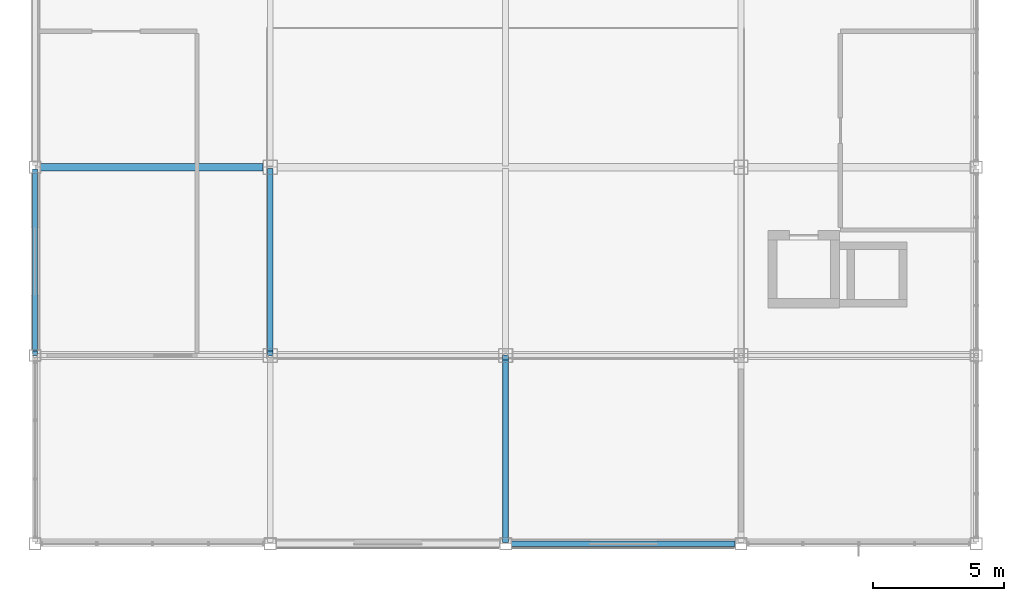
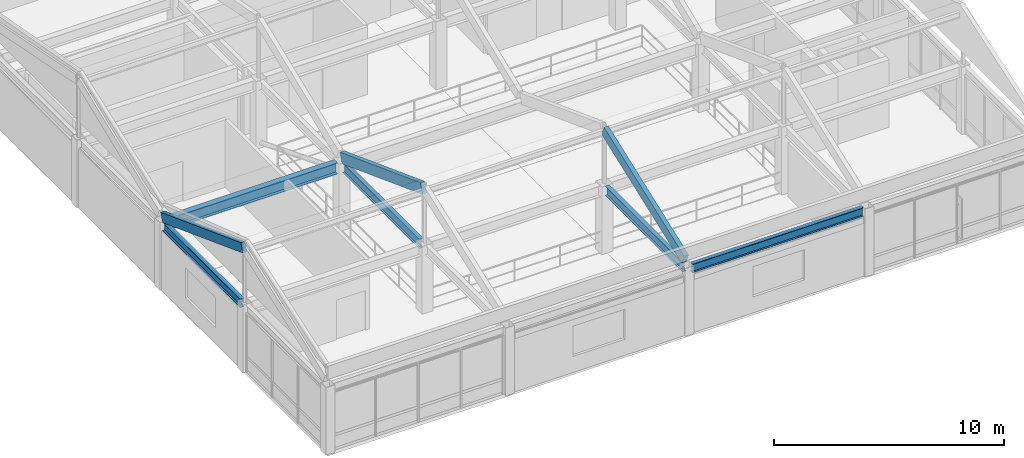
# One storey, part 13 of 113: 5 beams, 3 members.
"""IFC4 building model written with IfcOpenShell, lengths in metres."""

from ifc_helpers import new_model, si_unit, direction, frame, origin, origin_2d, place, context, subcontext, project, spatial, rectangle, i_section, extrude, material, material_profile, profile_set, type_object, element, save


model = new_model("IFC4")

# Units and contexts
model_context = context("Model", 3, precision=1e-05, world=origin(), true_north=direction((0.0, 1.0)))
body_context = subcontext(model_context, "Body", "Model", "MODEL_VIEW")
ifc_project = project(units=[si_unit("LENGTHUNIT", "METRE"), si_unit("AREAUNIT", "SQUARE_METRE"), si_unit("VOLUMEUNIT", "CUBIC_METRE"), si_unit("PLANEANGLEUNIT", "RADIAN"), si_unit("MASSUNIT", "GRAM", prefix="KILO")], contexts=[model_context])

# Site, building, storey
site_placement = place(None, origin())
site = spatial("IfcSite", under=ifc_project, at=site_placement, CompositionType="ELEMENT")
building_placement = place(site_placement, origin())
building = spatial("IfcBuilding", under=site, at=building_placement, Name="Kazanami Central Library", CompositionType="ELEMENT")
storey_placement = place(building_placement, frame((0.0, 0.0, 8.800048828125)))
storey = spatial("IfcBuildingStorey", under=building, at=storey_placement, Name="L03", CompositionType="ELEMENT", Elevation=8.800048828125)

# Beams
ifc_material_1 = material(Name="Steel SN490B (325 MPa)", Category="steel")
ifc_material_profile_1 = material_profile(ifc_material_1, i_section(OverallWidth=0.300048828125, OverallDepth=0.587890625, WebThickness=0.011962890625, FlangeThickness=0.02001953125, at=origin_2d()), Name="H-588x300x12x20")
ifc_profile_set_1 = profile_set([ifc_material_profile_1], Name="Steel SN490B (325 MPa)")
beam_type_1 = type_object("IfcBeamType", Name="BM-G-X2", PredefinedType="BEAM", material=ifc_profile_set_1)
beam_1_placement = place(storey_placement, frame((0.222900390625, 14.39990234375, 3.285888671875), z_axis=(1.0, 0.0, 0.0), x_axis=(0.0, 1.0, 0.0)))
element("IfcBeam", 1, at=beam_1_placement, inside=storey, type_object=beam_type_1, Name="Girder G-X2 L03 C/1-2", PredefinedType="BEAM", context=body_context, shape_type="SweptSolid", body=[
    extrude(i_section(OverallWidth=0.300048828125, OverallDepth=0.587890625, WebThickness=0.011962890625, FlangeThickness=0.02001953125, at=origin_2d()), origin(), (0.0, 0.0, 1.0), 8.504150390625),
])
ifc_material_profile_2 = material_profile(ifc_material_1, i_section(OverallWidth=0.199951171875, OverallDepth=0.5, WebThickness=0.010009765625, FlangeThickness=0.01611328125, at=origin_2d()), Name="H-500x200x10x16")
ifc_profile_set_2 = profile_set([ifc_material_profile_2], Name="Steel SN490B (325 MPa)")
beam_type_2 = type_object("IfcBeamType", Name="BM-G-Y2", PredefinedType="BEAM", material=ifc_profile_set_2)
beam_2_placement = place(storey_placement, frame((9.0, 7.472900390625, 3.329833984375), z_axis=(0.0, 1.0, 0.0), x_axis=(-1.0, 0.0, 0.0)))
element("IfcBeam", 2, at=beam_2_placement, inside=storey, type_object=beam_type_2, Name="Girder G-Y2 L03 2/B-C", PredefinedType="BEAM", context=body_context, shape_type="SweptSolid", body=[
    extrude(i_section(OverallWidth=0.199951171875, OverallDepth=0.5, WebThickness=0.010009765625, FlangeThickness=0.01611328125, at=origin_2d()), origin(), (0.0, 0.0, 1.0), 6.654052734375),
])
beam_3_placement = place(storey_placement, frame((18.0, 0.222900390625, 3.329833984375), z_axis=(0.0, 1.0, 0.0), x_axis=(-1.0, 0.0, 0.0)))
element("IfcBeam", 3, at=beam_3_placement, inside=storey, type_object=beam_type_2, Name="Girder G-Y2 L03 3/A-B", PredefinedType="BEAM", context=body_context, shape_type="SweptSolid", body=[
    extrude(i_section(OverallWidth=0.199951171875, OverallDepth=0.5, WebThickness=0.010009765625, FlangeThickness=0.01611328125, at=origin_2d()), origin(), (0.0, 0.0, 1.0), 6.7041015625),
])
ifc_material_profile_3 = material_profile(ifc_material_1, i_section(OverallWidth=0.199951171875, OverallDepth=0.449951171875, WebThickness=0.009033203125, FlangeThickness=0.013916015625, at=origin_2d()), Name="H-450x200x9x14")
ifc_profile_set_3 = profile_set([ifc_material_profile_3], Name="Steel SN490B (325 MPa)")
beam_type_3 = type_object("IfcBeamType", Name="BM-SP-2", PredefinedType="SPANDREL", material=ifc_profile_set_3)
beam_4_placement = place(storey_placement, frame((18.222900390625, 0.0, 3.35498046875), z_axis=(1.0, 0.0, 0.0), x_axis=(0.0, 1.0, 0.0)))
element("IfcBeam", 4, at=beam_4_placement, inside=storey, type_object=beam_type_3, Name="Girder SP-2 L03 A/3-4", PredefinedType="SPANDREL", context=body_context, shape_type="SweptSolid", body=[
    extrude(i_section(OverallWidth=0.199951171875, OverallDepth=0.449951171875, WebThickness=0.009033203125, FlangeThickness=0.013916015625, at=origin_2d()), origin(), (0.0, 0.0, 1.0), 8.55419921875),
])
beam_5_placement = place(storey_placement, frame((0.0, 7.423095703125, 3.35498046875), z_axis=(0.0, 1.0, 0.0), x_axis=(-1.0, 0.0, 0.0)))
element("IfcBeam", 5, at=beam_5_placement, inside=storey, type_object=beam_type_3, Name="Girder SP-2 L03 1/B-C", PredefinedType="SPANDREL", context=body_context, shape_type="SweptSolid", body=[
    extrude(i_section(OverallWidth=0.199951171875, OverallDepth=0.449951171875, WebThickness=0.009033203125, FlangeThickness=0.013916015625, at=origin_2d()), origin(), (0.0, 0.0, 1.0), 6.75390625),
])

# Members
ifc_material_2 = material(Name="Glulam GL28h (28 MPa)", Category="wood")
ifc_material_profile_4 = material_profile(ifc_material_2, rectangle(XDim=0.219970703125, YDim=0.5400390625, at=origin_2d()), Name="GL28h-220x540")
ifc_profile_set_4 = profile_set([ifc_material_profile_4], Name="Glulam GL28h (28 MPa)")
member_type_1 = type_object("IfcMemberType", Name="MEM-GL-01", PredefinedType="RAFTER", material=ifc_profile_set_4)
member_1_placement = place(storey_placement, frame((9.0, 14.25, 3.780029296875), z_axis=(0.0, -0.936500272319, 0.350666850366), x_axis=(1.0, 0.0, 0.0)))
element("IfcMember", 6, at=member_1_placement, inside=storey, type_object=member_type_1, Name="Glulam Timber Shell Rafter GL-01 FOLD-L03-V3-S Grid 2 North", PredefinedType="RAFTER", context=body_context, shape_type="SweptSolid", body=[
    extrude(rectangle(XDim=0.219970703125, YDim=0.5400390625, at=origin_2d()), origin(), (0.0, 0.0, 1.0), 7.442626953125),
])
member_2_placement = place(storey_placement, frame((18.0, 0.14990234375, 3.780029296875), z_axis=(0.0, 0.93650430586, 0.350656078096), x_axis=(-1.0, 0.0, 0.0)))
element("IfcMember", 7, at=member_2_placement, inside=storey, type_object=member_type_1, Name="Glulam Timber Shell Rafter GL-01 FOLD-L03-V3-S Grid 3 South", PredefinedType="RAFTER", context=body_context, shape_type="SweptSolid", body=[
    extrude(rectangle(XDim=0.219970703125, YDim=0.5400390625, at=origin_2d()), origin(), (0.0, 0.0, 1.0), 7.44287109375),
])
ifc_material_profile_5 = material_profile(ifc_material_2, rectangle(XDim=0.199951171875, YDim=0.47998046875, at=origin_2d()), Name="GL28h-200x480")
ifc_profile_set_5 = profile_set([ifc_material_profile_5], Name="Glulam GL28h (28 MPa)")
member_type_2 = type_object("IfcMemberType", Name="MEM-GL-02", PredefinedType="RAFTER", material=ifc_profile_set_5)
member_3_placement = place(storey_placement, frame((0.0, 14.25, 3.780029296875), z_axis=(0.0, -0.936500272319, 0.350666850366), x_axis=(1.0, 0.0, 0.0)))
element("IfcMember", 8, at=member_3_placement, inside=storey, type_object=member_type_2, Name="Glulam Timber Shell Rafter GL-02 FOLD-L03-V3-S Grid 1 North", PredefinedType="RAFTER", context=body_context, shape_type="SweptSolid", body=[
    extrude(rectangle(XDim=0.199951171875, YDim=0.47998046875, at=origin_2d()), origin(), (0.0, 0.0, 1.0), 7.442626953125),
])

save(model, "model.ifc")
